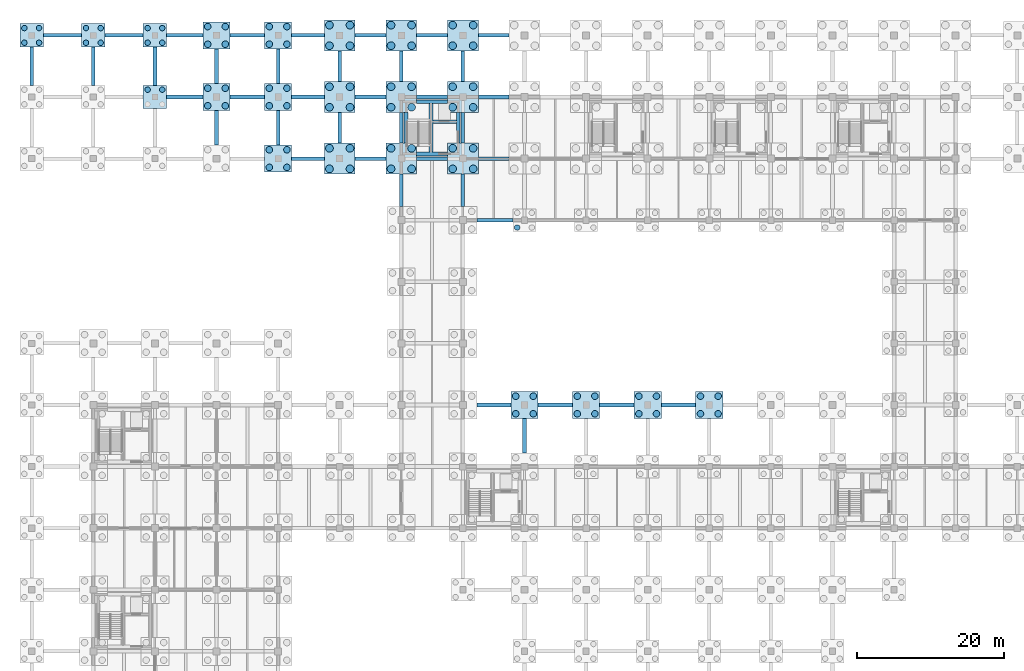
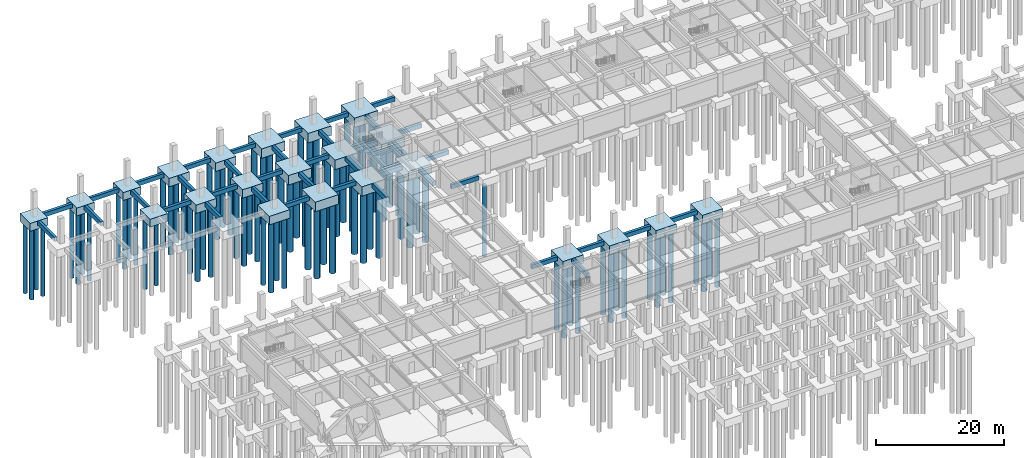
# One storey, part 6 of 29: 87 piles, 67 footings.
"""IFC4 building model written with IfcOpenShell, lengths in metres."""

from ifc_helpers import new_model, si_unit, direction, frame, origin, origin_2d, place, context, subcontext, project, spatial, rectangle, circle, extrude, material, material_profile, profile_set, type_object, element, save


model = new_model("IFC4")

# Units and contexts
model_context = context("Model", 3, precision=1e-05, world=origin(), true_north=direction((0.0, 1.0)))
body_context = subcontext(model_context, "Body", "Model", "MODEL_VIEW")
ifc_project = project(units=[si_unit("LENGTHUNIT", "METRE"), si_unit("AREAUNIT", "SQUARE_METRE"), si_unit("VOLUMEUNIT", "CUBIC_METRE"), si_unit("PLANEANGLEUNIT", "RADIAN"), si_unit("MASSUNIT", "GRAM", prefix="KILO")], contexts=[model_context])

# Site, building, storey
site_placement = place(None, origin())
site = spatial("IfcSite", under=ifc_project, at=site_placement, CompositionType="ELEMENT")
building_placement = place(site_placement, origin())
building = spatial("IfcBuilding", under=site, at=building_placement, Name="Porcellanite Civic Hall", CompositionType="ELEMENT")
storey_placement = place(building_placement, frame((0.0, 0.0, -4.5)))
storey = spatial("IfcBuildingStorey", under=building, at=storey_placement, Name="B1", CompositionType="ELEMENT", Elevation=-4.5)

# Footings
ifc_material_1 = material(Name="Concrete N40 (40 MPa)", Category="concrete")
ifc_material_profile_1 = material_profile(ifc_material_1, rectangle(XDim=0.5, YDim=0.800048828125, at=origin_2d()), Name="RC-500x800")
ifc_profile_set_1 = profile_set([ifc_material_profile_1], Name="Concrete N40 (40 MPa)")
footing_type_1 = type_object("IfcFootingType", Name="GB-01", PredefinedType="FOOTING_BEAM", material=ifc_profile_set_1)
for number, where, z_axis, x_axis, name in (
    (1, (0.0, 110.800048828125, -0.75), (0.0, 1.0, 0.0), (-1.0, 0.0, 0.0), "Ground tie beam B1 0-13 Y"),
    (2, (1.60009765625, 117.60009765625, -0.75), (1.0, 0.0, 0.0), (0.0, 1.0, 0.0), "Ground tie beam B1 0-14 X"),
    (3, (8.39990234375, 110.800048828125, -0.75), (0.0, 1.0, 0.0), (-1.0, 0.0, 0.0), "Ground tie beam B1 1-13 Y"),
    (4, (10.0, 117.60009765625, -0.75), (1.0, 0.0, 0.0), (0.0, 1.0, 0.0), "Ground tie beam B1 1-14 X"),
):
    element("IfcFooting", number, at=place(storey_placement, frame(where, z_axis=z_axis, x_axis=x_axis)), inside=storey, type_object=footing_type_1, Name=name, PredefinedType="FOOTING_BEAM", context=body_context, shape_type="SweptSolid", body=[
        extrude(rectangle(XDim=0.5, YDim=0.800048828125, at=origin_2d()), origin(), (0.0, 0.0, 1.0), 5.199951171875),
    ])
footing_1_placement = place(storey_placement, frame((18.39990234375, 109.199951171875, -0.75), z_axis=(1.0, 0.0, 0.0), x_axis=(0.0, 1.0, 0.0)))
element("IfcFooting", 5, at=footing_1_placement, inside=storey, type_object=footing_type_1, Name="Ground tie beam B1 2-13 X", PredefinedType="FOOTING_BEAM", context=body_context, shape_type="SweptSolid", body=[
    extrude(rectangle(XDim=0.5, YDim=0.800048828125, at=origin_2d()), origin(), (0.0, 0.0, 1.0), 4.9501953125),
])
footing_2_placement = place(storey_placement, frame((16.800048828125, 110.800048828125, -0.75), z_axis=(0.0, 1.0, 0.0), x_axis=(-1.0, 0.0, 0.0)))
element("IfcFooting", 6, at=footing_2_placement, inside=storey, type_object=footing_type_1, Name="Ground tie beam B1 2-13 Y", PredefinedType="FOOTING_BEAM", context=body_context, shape_type="SweptSolid", body=[
    extrude(rectangle(XDim=0.5, YDim=0.800048828125, at=origin_2d()), origin(), (0.0, 0.0, 1.0), 5.199951171875),
])
footing_3_placement = place(storey_placement, frame((18.39990234375, 117.60009765625, -0.75), z_axis=(1.0, 0.0, 0.0), x_axis=(0.0, 1.0, 0.0)))
element("IfcFooting", 7, at=footing_3_placement, inside=storey, type_object=footing_type_1, Name="Ground tie beam B1 2-14 X", PredefinedType="FOOTING_BEAM", context=body_context, shape_type="SweptSolid", body=[
    extrude(rectangle(XDim=0.5, YDim=0.800048828125, at=origin_2d()), origin(), (0.0, 0.0, 1.0), 4.9501953125),
])
footing_4_placement = place(storey_placement, frame((25.199951171875, 102.64990234375, -0.75), z_axis=(0.0, 1.0, 0.0), x_axis=(-1.0, 0.0, 0.0)))
element("IfcFooting", 8, at=footing_4_placement, inside=storey, type_object=footing_type_1, Name="Ground tie beam B1 3-12 Y", PredefinedType="FOOTING_BEAM", context=body_context, shape_type="SweptSolid", body=[
    extrude(rectangle(XDim=0.5, YDim=0.800048828125, at=origin_2d()), origin(), (0.0, 0.0, 1.0), 4.7001953125),
])
for number, where, z_axis, x_axis, name in (
    (9, (27.050048828125, 109.199951171875, -0.75), (1.0, 0.0, 0.0), (0.0, 1.0, 0.0), "Ground tie beam B1 3-13 X"),
    (10, (25.199951171875, 111.050048828125, -0.75), (0.0, 1.0, 0.0), (-1.0, 0.0, 0.0), "Ground tie beam B1 3-13 Y"),
    (11, (27.050048828125, 117.60009765625, -0.75), (1.0, 0.0, 0.0), (0.0, 1.0, 0.0), "Ground tie beam B1 3-14 X"),
):
    element("IfcFooting", number, at=place(storey_placement, frame(where, z_axis=z_axis, x_axis=x_axis)), inside=storey, type_object=footing_type_1, Name=name, PredefinedType="FOOTING_BEAM", context=body_context, shape_type="SweptSolid", body=[
        extrude(rectangle(XDim=0.5, YDim=0.800048828125, at=origin_2d()), origin(), (0.0, 0.0, 1.0), 4.699951171875),
    ])
footing_5_placement = place(storey_placement, frame((35.449951171875, 100.800048828125, -0.75), z_axis=(1.0, 0.0, 0.0), x_axis=(0.0, 1.0, 0.0)))
element("IfcFooting", 12, at=footing_5_placement, inside=storey, type_object=footing_type_1, Name="Ground tie beam B1 4-12 X", PredefinedType="FOOTING_BEAM", context=body_context, shape_type="SweptSolid", body=[
    extrude(rectangle(XDim=0.5, YDim=0.800048828125, at=origin_2d()), origin(), (0.0, 0.0, 1.0), 4.449951171875),
])
footing_6_placement = place(storey_placement, frame((33.60009765625, 102.64990234375, -0.75), z_axis=(0.0, 1.0, 0.0), x_axis=(-1.0, 0.0, 0.0)))
element("IfcFooting", 13, at=footing_6_placement, inside=storey, type_object=footing_type_1, Name="Ground tie beam B1 4-12 Y", PredefinedType="FOOTING_BEAM", context=body_context, shape_type="SweptSolid", body=[
    extrude(rectangle(XDim=0.5, YDim=0.800048828125, at=origin_2d()), origin(), (0.0, 0.0, 1.0), 4.7001953125),
])
footing_7_placement = place(storey_placement, frame((35.449951171875, 109.199951171875, -0.75), z_axis=(1.0, 0.0, 0.0), x_axis=(0.0, 1.0, 0.0)))
element("IfcFooting", 14, at=footing_7_placement, inside=storey, type_object=footing_type_1, Name="Ground tie beam B1 4-13 X", PredefinedType="FOOTING_BEAM", context=body_context, shape_type="SweptSolid", body=[
    extrude(rectangle(XDim=0.5, YDim=0.800048828125, at=origin_2d()), origin(), (0.0, 0.0, 1.0), 4.449951171875),
])
footing_8_placement = place(storey_placement, frame((33.60009765625, 111.050048828125, -0.75), z_axis=(0.0, 1.0, 0.0), x_axis=(-1.0, 0.0, 0.0)))
element("IfcFooting", 15, at=footing_8_placement, inside=storey, type_object=footing_type_1, Name="Ground tie beam B1 4-13 Y", PredefinedType="FOOTING_BEAM", context=body_context, shape_type="SweptSolid", body=[
    extrude(rectangle(XDim=0.5, YDim=0.800048828125, at=origin_2d()), origin(), (0.0, 0.0, 1.0), 4.699951171875),
])
footing_9_placement = place(storey_placement, frame((35.449951171875, 117.60009765625, -0.75), z_axis=(1.0, 0.0, 0.0), x_axis=(0.0, 1.0, 0.0)))
element("IfcFooting", 16, at=footing_9_placement, inside=storey, type_object=footing_type_1, Name="Ground tie beam B1 4-14 X", PredefinedType="FOOTING_BEAM", context=body_context, shape_type="SweptSolid", body=[
    extrude(rectangle(XDim=0.5, YDim=0.800048828125, at=origin_2d()), origin(), (0.0, 0.0, 1.0), 4.449951171875),
])
footing_10_placement = place(storey_placement, frame((44.10009765625, 100.800048828125, -0.75), z_axis=(1.0, 0.0, 0.0), x_axis=(0.0, 1.0, 0.0)))
element("IfcFooting", 17, at=footing_10_placement, inside=storey, type_object=footing_type_1, Name="Ground tie beam B1 5-12 X", PredefinedType="FOOTING_BEAM", context=body_context, shape_type="SweptSolid", body=[
    extrude(rectangle(XDim=0.5, YDim=0.800048828125, at=origin_2d()), origin(), (0.0, 0.0, 1.0), 4.199951171875),
])
footing_11_placement = place(storey_placement, frame((42.0, 102.89990234375, -0.75), z_axis=(0.0, 1.0, 0.0), x_axis=(-1.0, 0.0, 0.0)))
element("IfcFooting", 18, at=footing_11_placement, inside=storey, type_object=footing_type_1, Name="Ground tie beam B1 5-12 Y", PredefinedType="FOOTING_BEAM", context=body_context, shape_type="SweptSolid", body=[
    extrude(rectangle(XDim=0.5, YDim=0.800048828125, at=origin_2d()), origin(), (0.0, 0.0, 1.0), 4.2001953125),
])
for number, where, z_axis, x_axis, name in (
    (19, (44.10009765625, 109.199951171875, -0.75), (1.0, 0.0, 0.0), (0.0, 1.0, 0.0), "Ground tie beam B1 5-13 X"),
    (20, (42.0, 111.300048828125, -0.75), (0.0, 1.0, 0.0), (-1.0, 0.0, 0.0), "Ground tie beam B1 5-13 Y"),
    (21, (44.10009765625, 117.60009765625, -0.75), (1.0, 0.0, 0.0), (0.0, 1.0, 0.0), "Ground tie beam B1 5-14 X"),
):
    element("IfcFooting", number, at=place(storey_placement, frame(where, z_axis=z_axis, x_axis=x_axis)), inside=storey, type_object=footing_type_1, Name=name, PredefinedType="FOOTING_BEAM", context=body_context, shape_type="SweptSolid", body=[
        extrude(rectangle(XDim=0.5, YDim=0.800048828125, at=origin_2d()), origin(), (0.0, 0.0, 1.0), 4.199951171875),
    ])
footing_12_placement = place(storey_placement, frame((50.39990234375, 94.300048828125, -0.75), z_axis=(0.0, 1.0, 0.0), x_axis=(-1.0, 0.0, 0.0)))
element("IfcFooting", 22, at=footing_12_placement, inside=storey, type_object=footing_type_1, Name="Ground tie beam B1 6-11 Y", PredefinedType="FOOTING_BEAM", context=body_context, shape_type="SweptSolid", body=[
    extrude(rectangle(XDim=0.5, YDim=0.800048828125, at=origin_2d()), origin(), (0.0, 0.0, 1.0), 4.39990234375),
])
footing_13_placement = place(storey_placement, frame((52.5, 100.800048828125, -0.75), z_axis=(1.0, 0.0, 0.0), x_axis=(0.0, 1.0, 0.0)))
element("IfcFooting", 23, at=footing_13_placement, inside=storey, type_object=footing_type_1, Name="Ground tie beam B1 6-12 X", PredefinedType="FOOTING_BEAM", context=body_context, shape_type="SweptSolid", body=[
    extrude(rectangle(XDim=0.5, YDim=0.800048828125, at=origin_2d()), origin(), (0.0, 0.0, 1.0), 4.199951171875),
])
footing_14_placement = place(storey_placement, frame((50.39990234375, 102.89990234375, -0.75), z_axis=(0.0, 1.0, 0.0), x_axis=(-1.0, 0.0, 0.0)))
element("IfcFooting", 24, at=footing_14_placement, inside=storey, type_object=footing_type_1, Name="Ground tie beam B1 6-12 Y", PredefinedType="FOOTING_BEAM", context=body_context, shape_type="SweptSolid", body=[
    extrude(rectangle(XDim=0.5, YDim=0.800048828125, at=origin_2d()), origin(), (0.0, 0.0, 1.0), 4.2001953125),
])
for number, where, z_axis, x_axis, name in (
    (25, (52.5, 109.199951171875, -0.75), (1.0, 0.0, 0.0), (0.0, 1.0, 0.0), "Ground tie beam B1 6-13 X"),
    (26, (50.39990234375, 111.300048828125, -0.75), (0.0, 1.0, 0.0), (-1.0, 0.0, 0.0), "Ground tie beam B1 6-13 Y"),
    (27, (52.5, 117.60009765625, -0.75), (1.0, 0.0, 0.0), (0.0, 1.0, 0.0), "Ground tie beam B1 6-14 X"),
):
    element("IfcFooting", number, at=place(storey_placement, frame(where, z_axis=z_axis, x_axis=x_axis)), inside=storey, type_object=footing_type_1, Name=name, PredefinedType="FOOTING_BEAM", context=body_context, shape_type="SweptSolid", body=[
        extrude(rectangle(XDim=0.5, YDim=0.800048828125, at=origin_2d()), origin(), (0.0, 0.0, 1.0), 4.199951171875),
    ])
footing_15_placement = place(storey_placement, frame((60.699951171875, 67.199951171875, -0.75), z_axis=(1.0, 0.0, 0.0), x_axis=(0.0, 1.0, 0.0)))
element("IfcFooting", 28, at=footing_15_placement, inside=storey, type_object=footing_type_1, Name="Ground tie beam B1 7-8 X", PredefinedType="FOOTING_BEAM", context=body_context, shape_type="SweptSolid", body=[
    extrude(rectangle(XDim=0.5, YDim=0.800048828125, at=origin_2d()), origin(), (0.0, 0.0, 1.0), 4.650146484375),
])
footing_16_placement = place(storey_placement, frame((60.699951171875, 92.39990234375, -0.75), z_axis=(1.0, 0.0, 0.0), x_axis=(0.0, 1.0, 0.0)))
element("IfcFooting", 29, at=footing_16_placement, inside=storey, type_object=footing_type_1, Name="Ground tie beam B1 7-11 X", PredefinedType="FOOTING_BEAM", context=body_context, shape_type="SweptSolid", body=[
    extrude(rectangle(XDim=0.5, YDim=0.800048828125, at=origin_2d()), origin(), (0.0, 0.0, 1.0), 4.949951171875),
])
footing_17_placement = place(storey_placement, frame((58.800048828125, 94.300048828125, -0.75), z_axis=(0.0, 1.0, 0.0), x_axis=(-1.0, 0.0, 0.0)))
element("IfcFooting", 30, at=footing_17_placement, inside=storey, type_object=footing_type_1, Name="Ground tie beam B1 7-11 Y", PredefinedType="FOOTING_BEAM", context=body_context, shape_type="SweptSolid", body=[
    extrude(rectangle(XDim=0.5, YDim=0.800048828125, at=origin_2d()), origin(), (0.0, 0.0, 1.0), 4.39990234375),
])
for number, where, z_axis, x_axis, name in (
    (31, (60.89990234375, 100.800048828125, -0.75), (1.0, 0.0, 0.0), (0.0, 1.0, 0.0), "Ground tie beam B1 7-12 X"),
    (32, (58.800048828125, 102.89990234375, -0.75), (0.0, 1.0, 0.0), (-1.0, 0.0, 0.0), "Ground tie beam B1 7-12 Y"),
    (33, (60.89990234375, 109.199951171875, -0.75), (1.0, 0.0, 0.0), (0.0, 1.0, 0.0), "Ground tie beam B1 7-13 X"),
):
    element("IfcFooting", number, at=place(storey_placement, frame(where, z_axis=z_axis, x_axis=x_axis)), inside=storey, type_object=footing_type_1, Name=name, PredefinedType="FOOTING_BEAM", context=body_context, shape_type="SweptSolid", body=[
        extrude(rectangle(XDim=0.5, YDim=0.800048828125, at=origin_2d()), origin(), (0.0, 0.0, 1.0), 4.2001953125),
    ])
footing_18_placement = place(storey_placement, frame((58.800048828125, 111.300048828125, -0.75), z_axis=(0.0, 1.0, 0.0), x_axis=(-1.0, 0.0, 0.0)))
element("IfcFooting", 34, at=footing_18_placement, inside=storey, type_object=footing_type_1, Name="Ground tie beam B1 7-13 Y", PredefinedType="FOOTING_BEAM", context=body_context, shape_type="SweptSolid", body=[
    extrude(rectangle(XDim=0.5, YDim=0.800048828125, at=origin_2d()), origin(), (0.0, 0.0, 1.0), 4.199951171875),
])
footing_19_placement = place(storey_placement, frame((60.89990234375, 117.60009765625, -0.75), z_axis=(1.0, 0.0, 0.0), x_axis=(0.0, 1.0, 0.0)))
element("IfcFooting", 35, at=footing_19_placement, inside=storey, type_object=footing_type_1, Name="Ground tie beam B1 7-14 X", PredefinedType="FOOTING_BEAM", context=body_context, shape_type="SweptSolid", body=[
    extrude(rectangle(XDim=0.5, YDim=0.800048828125, at=origin_2d()), origin(), (0.0, 0.0, 1.0), 4.2001953125),
])
footing_20_placement = place(storey_placement, frame((67.199951171875, 60.64990234375, -0.75), z_axis=(0.0, 1.0, 0.0), x_axis=(-1.0, 0.0, 0.0)))
element("IfcFooting", 36, at=footing_20_placement, inside=storey, type_object=footing_type_1, Name="Ground tie beam B1 8-7 Y", PredefinedType="FOOTING_BEAM", context=body_context, shape_type="SweptSolid", body=[
    extrude(rectangle(XDim=0.5, YDim=0.800048828125, at=origin_2d()), origin(), (0.0, 0.0, 1.0), 4.7001953125),
])
for number, where, z_axis, x_axis, name in (
    (37, (69.050048828125, 67.199951171875, -0.75), (1.0, 0.0, 0.0), (0.0, 1.0, 0.0), "Ground tie beam B1 8-8 X"),
    (38, (77.449951171875, 67.199951171875, -0.75), (1.0, 0.0, 0.0), (0.0, 1.0, 0.0), "Ground tie beam B1 9-8 X"),
    (39, (85.85009765625, 67.199951171875, -0.75), (1.0, 0.0, 0.0), (0.0, 1.0, 0.0), "Ground tie beam B1 10-8 X"),
):
    element("IfcFooting", number, at=place(storey_placement, frame(where, z_axis=z_axis, x_axis=x_axis)), inside=storey, type_object=footing_type_1, Name=name, PredefinedType="FOOTING_BEAM", context=body_context, shape_type="SweptSolid", body=[
        extrude(rectangle(XDim=0.5, YDim=0.800048828125, at=origin_2d()), origin(), (0.0, 0.0, 1.0), 4.699951171875),
    ])
for number, where, z_axis, x_axis, name in (
    (40, (52.5, 101.429931640625, -0.75), (1.0, 0.0, 0.0), (0.0, 1.0, 0.0), "Core strip footing C3 S"),
    (41, (52.5, 108.570068359375, -0.75), (1.0, 0.0, 0.0), (0.0, 1.0, 0.0), "Core strip footing C3 N"),
):
    element("IfcFooting", number, at=place(storey_placement, frame(where, z_axis=z_axis, x_axis=x_axis)), inside=storey, type_object=footing_type_1, Name=name, PredefinedType="FOOTING_BEAM", context=body_context, shape_type="SweptSolid", body=[
        extrude(rectangle(XDim=0.5, YDim=0.800048828125, at=origin_2d()), origin(), (0.0, 0.0, 1.0), 4.199951171875),
    ])
for number, where, z_axis, x_axis, name in (
    (42, (51.030029296875, 102.89990234375, -0.75), (0.0, 1.0, 0.0), (-1.0, 0.0, 0.0), "Core strip footing C3 W"),
    (43, (58.169921875, 102.89990234375, -0.75), (0.0, 1.0, 0.0), (-1.0, 0.0, 0.0), "Core strip footing C3 E"),
):
    element("IfcFooting", number, at=place(storey_placement, frame(where, z_axis=z_axis, x_axis=x_axis)), inside=storey, type_object=footing_type_1, Name=name, PredefinedType="FOOTING_BEAM", context=body_context, shape_type="SweptSolid", body=[
        extrude(rectangle(XDim=0.5, YDim=0.800048828125, at=origin_2d()), origin(), (0.0, 0.0, 1.0), 4.2001953125),
    ])
footing_21_placement = place(storey_placement, frame((54.43994140625, 101.679931640625, -0.75), z_axis=(0.0, 1.0, 0.0), x_axis=(-1.0, 0.0, 0.0)))
element("IfcFooting", 44, at=footing_21_placement, inside=storey, type_object=footing_type_1, Name="Core strip footing C3 DIV", PredefinedType="FOOTING_BEAM", context=body_context, shape_type="SweptSolid", body=[
    extrude(rectangle(XDim=0.5, YDim=0.800048828125, at=origin_2d()), origin(), (0.0, 0.0, 1.0), 6.64013671875),
])
ifc_material_2 = material(Name="Concrete N40 (40 MPa)", Category="concrete")
ifc_material_profile_2 = material_profile(ifc_material_2, rectangle(XDim=0.449951171875, YDim=0.699951171875, at=origin_2d()), Name="RC-450x700")
ifc_profile_set_2 = profile_set([ifc_material_profile_2], Name="Concrete N40 (40 MPa)")
footing_type_2 = type_object("IfcFootingType", Name="GB-03", PredefinedType="FOOTING_BEAM", material=ifc_profile_set_2)
footing_22_placement = place(storey_placement, frame((54.68994140625, 105.820068359375, -0.699951171875), z_axis=(1.0, 0.0, 0.0), x_axis=(0.0, 1.0, 0.0)))
element("IfcFooting", 45, at=footing_22_placement, inside=storey, type_object=footing_type_2, Name="Core lift wall footing C3", PredefinedType="FOOTING_BEAM", context=body_context, shape_type="SweptSolid", body=[
    extrude(rectangle(XDim=0.449951171875, YDim=0.699951171875, at=origin_2d()), origin(), (0.0, 0.0, 1.0), 3.22998046875),
])
ifc_material_3 = material(Name="Concrete N40 (40 MPa)", Category="concrete")
footing_type_3 = type_object("IfcFootingType", Name="PC-02", PredefinedType="PILE_CAP", material=ifc_material_3)
for number, where, z_axis, x_axis, name in (
    (46, (0.0, 117.60009765625, -1.85009765625), (0.0, 0.0, 1.0), (1.0, 0.0, 0.0), "Pile cap 0-14"),
    (47, (8.39990234375, 117.60009765625, -1.85009765625), (0.0, 0.0, 1.0), (1.0, 0.0, 0.0), "Pile cap 1-14"),
    (48, (16.800048828125, 109.199951171875, -1.85009765625), (0.0, 0.0, 1.0), (1.0, 0.0, 0.0), "Pile cap 2-13"),
    (49, (16.800048828125, 117.60009765625, -1.85009765625), (0.0, 0.0, 1.0), (1.0, 0.0, 0.0), "Pile cap 2-14"),
):
    element("IfcFooting", number, at=place(storey_placement, frame(where, z_axis=z_axis, x_axis=x_axis)), inside=storey, type_object=footing_type_3, Name=name, PredefinedType="PILE_CAP", context=body_context, shape_type="SweptSolid", body=[
        extrude(rectangle(XDim=3.199951171875, YDim=3.199951171875, at=origin_2d()), origin(), (0.0, 0.0, 1.0), 1.5),
    ])
ifc_material_4 = material(Name="Concrete N40 (40 MPa)", Category="concrete")
footing_type_4 = type_object("IfcFootingType", Name="PC-03", PredefinedType="PILE_CAP", material=ifc_material_4)
for number, where, z_axis, x_axis, name in (
    (50, (25.199951171875, 109.199951171875, -1.949951171875), (0.0, 0.0, 1.0), (1.0, 0.0, 0.0), "Pile cap 3-13"),
    (51, (25.199951171875, 117.60009765625, -1.949951171875), (0.0, 0.0, 1.0), (1.0, 0.0, 0.0), "Pile cap 3-14"),
    (52, (33.60009765625, 100.800048828125, -1.949951171875), (0.0, 0.0, 1.0), (1.0, 0.0, 0.0), "Pile cap 4-12"),
    (53, (33.60009765625, 109.199951171875, -1.949951171875), (0.0, 0.0, 1.0), (1.0, 0.0, 0.0), "Pile cap 4-13"),
    (54, (33.60009765625, 117.60009765625, -1.949951171875), (0.0, 0.0, 1.0), (1.0, 0.0, 0.0), "Pile cap 4-14"),
    (55, (67.199951171875, 67.199951171875, -1.949951171875), (0.0, 0.0, 1.0), (1.0, 0.0, 0.0), "Pile cap 8-8"),
    (56, (75.60009765625, 67.199951171875, -1.949951171875), (0.0, 0.0, 1.0), (1.0, 0.0, 0.0), "Pile cap 9-8"),
    (57, (84.0, 67.199951171875, -1.949951171875), (0.0, 0.0, 1.0), (1.0, 0.0, 0.0), "Pile cap 10-8"),
    (58, (92.39990234375, 67.199951171875, -1.949951171875), (0.0, 0.0, 1.0), (1.0, 0.0, 0.0), "Pile cap 11-8"),
):
    element("IfcFooting", number, at=place(storey_placement, frame(where, z_axis=z_axis, x_axis=x_axis)), inside=storey, type_object=footing_type_4, Name=name, PredefinedType="PILE_CAP", context=body_context, shape_type="SweptSolid", body=[
        extrude(rectangle(XDim=3.699951171875, YDim=3.699951171875, at=origin_2d()), origin(), (0.0, 0.0, 1.0), 1.60009765625),
    ])
ifc_material_5 = material(Name="Concrete N40 (40 MPa)", Category="concrete")
footing_type_5 = type_object("IfcFootingType", Name="PC-05", PredefinedType="PILE_CAP", material=ifc_material_5)
for number, where, z_axis, x_axis, name in (
    (59, (42.0, 100.800048828125, -2.14990234375), (0.0, 0.0, 1.0), (1.0, 0.0, 0.0), "Pile cap 5-12"),
    (60, (42.0, 109.199951171875, -2.14990234375), (0.0, 0.0, 1.0), (1.0, 0.0, 0.0), "Pile cap 5-13"),
    (61, (42.0, 117.60009765625, -2.14990234375), (0.0, 0.0, 1.0), (1.0, 0.0, 0.0), "Pile cap 5-14"),
    (62, (50.39990234375, 100.800048828125, -2.14990234375), (0.0, 0.0, 1.0), (1.0, 0.0, 0.0), "Pile cap 6-12"),
    (63, (50.39990234375, 109.199951171875, -2.14990234375), (0.0, 0.0, 1.0), (1.0, 0.0, 0.0), "Pile cap 6-13"),
    (64, (50.39990234375, 117.60009765625, -2.14990234375), (0.0, 0.0, 1.0), (1.0, 0.0, 0.0), "Pile cap 6-14"),
    (65, (58.800048828125, 100.800048828125, -2.14990234375), (0.0, 0.0, 1.0), (1.0, 0.0, 0.0), "Pile cap 7-12"),
    (66, (58.800048828125, 109.199951171875, -2.14990234375), (0.0, 0.0, 1.0), (1.0, 0.0, 0.0), "Pile cap 7-13"),
    (67, (58.800048828125, 117.60009765625, -2.14990234375), (0.0, 0.0, 1.0), (1.0, 0.0, 0.0), "Pile cap 7-14"),
):
    element("IfcFooting", number, at=place(storey_placement, frame(where, z_axis=z_axis, x_axis=x_axis)), inside=storey, type_object=footing_type_5, Name=name, PredefinedType="PILE_CAP", context=body_context, shape_type="SweptSolid", body=[
        extrude(rectangle(XDim=4.199951171875, YDim=4.199951171875, at=origin_2d()), origin(), (0.0, 0.0, 1.0), 1.800048828125),
    ])

# Piles
ifc_material_6 = material(Name="Concrete N40 (40 MPa)", Category="concrete")
ifc_material_profile_3 = material_profile(ifc_material_6, circle(Radius=0.52490234375, at=origin_2d()), Name="PILE-D1050")
ifc_profile_set_3 = profile_set([ifc_material_profile_3], Name="Concrete N40 (40 MPa)")
pile_type_1 = type_object("IfcPileType", Name="PL-1050", PredefinedType="BORED", material=ifc_profile_set_3)
for number, where, z_axis, x_axis, name in (
    (68, (40.60009765625, 99.39990234375, -2.14990234375), (0.0, 0.0, -1.0), (1.0, 0.0, 0.0), "Bored pile 5-12-1"),
    (69, (40.60009765625, 102.199951171875, -2.14990234375), (0.0, 0.0, -1.0), (1.0, 0.0, 0.0), "Bored pile 5-12-2"),
    (70, (43.39990234375, 99.39990234375, -2.14990234375), (0.0, 0.0, -1.0), (1.0, 0.0, 0.0), "Bored pile 5-12-3"),
    (71, (43.39990234375, 102.199951171875, -2.14990234375), (0.0, 0.0, -1.0), (1.0, 0.0, 0.0), "Bored pile 5-12-4"),
    (72, (40.60009765625, 107.800048828125, -2.14990234375), (0.0, 0.0, -1.0), (1.0, 0.0, 0.0), "Bored pile 5-13-1"),
    (73, (40.60009765625, 110.60009765625, -2.14990234375), (0.0, 0.0, -1.0), (1.0, 0.0, 0.0), "Bored pile 5-13-2"),
    (74, (43.39990234375, 107.800048828125, -2.14990234375), (0.0, 0.0, -1.0), (1.0, 0.0, 0.0), "Bored pile 5-13-3"),
    (75, (43.39990234375, 110.60009765625, -2.14990234375), (0.0, 0.0, -1.0), (1.0, 0.0, 0.0), "Bored pile 5-13-4"),
    (76, (40.60009765625, 116.199951171875, -2.14990234375), (0.0, 0.0, -1.0), (1.0, 0.0, 0.0), "Bored pile 5-14-1"),
    (77, (40.60009765625, 119.0, -2.14990234375), (0.0, 0.0, -1.0), (1.0, 0.0, 0.0), "Bored pile 5-14-2"),
    (78, (43.39990234375, 116.199951171875, -2.14990234375), (0.0, 0.0, -1.0), (1.0, 0.0, 0.0), "Bored pile 5-14-3"),
    (79, (43.39990234375, 119.0, -2.14990234375), (0.0, 0.0, -1.0), (1.0, 0.0, 0.0), "Bored pile 5-14-4"),
    (80, (49.0, 99.39990234375, -2.14990234375), (0.0, 0.0, -1.0), (1.0, 0.0, 0.0), "Bored pile 6-12-1"),
    (81, (49.0, 102.199951171875, -2.14990234375), (0.0, 0.0, -1.0), (1.0, 0.0, 0.0), "Bored pile 6-12-2"),
    (82, (51.800048828125, 99.39990234375, -2.14990234375), (0.0, 0.0, -1.0), (1.0, 0.0, 0.0), "Bored pile 6-12-3"),
    (83, (51.800048828125, 102.199951171875, -2.14990234375), (0.0, 0.0, -1.0), (1.0, 0.0, 0.0), "Bored pile 6-12-4"),
    (84, (49.0, 107.800048828125, -2.14990234375), (0.0, 0.0, -1.0), (1.0, 0.0, 0.0), "Bored pile 6-13-1"),
    (85, (49.0, 110.60009765625, -2.14990234375), (0.0, 0.0, -1.0), (1.0, 0.0, 0.0), "Bored pile 6-13-2"),
    (86, (51.800048828125, 107.800048828125, -2.14990234375), (0.0, 0.0, -1.0), (1.0, 0.0, 0.0), "Bored pile 6-13-3"),
    (87, (51.800048828125, 110.60009765625, -2.14990234375), (0.0, 0.0, -1.0), (1.0, 0.0, 0.0), "Bored pile 6-13-4"),
    (88, (49.0, 116.199951171875, -2.14990234375), (0.0, 0.0, -1.0), (1.0, 0.0, 0.0), "Bored pile 6-14-1"),
    (89, (49.0, 119.0, -2.14990234375), (0.0, 0.0, -1.0), (1.0, 0.0, 0.0), "Bored pile 6-14-2"),
    (90, (51.800048828125, 116.199951171875, -2.14990234375), (0.0, 0.0, -1.0), (1.0, 0.0, 0.0), "Bored pile 6-14-3"),
    (91, (51.800048828125, 119.0, -2.14990234375), (0.0, 0.0, -1.0), (1.0, 0.0, 0.0), "Bored pile 6-14-4"),
    (92, (57.39990234375, 99.39990234375, -2.14990234375), (0.0, 0.0, -1.0), (1.0, 0.0, 0.0), "Bored pile 7-12-1"),
    (93, (57.39990234375, 102.199951171875, -2.14990234375), (0.0, 0.0, -1.0), (1.0, 0.0, 0.0), "Bored pile 7-12-2"),
    (94, (60.199951171875, 99.39990234375, -2.14990234375), (0.0, 0.0, -1.0), (1.0, 0.0, 0.0), "Bored pile 7-12-3"),
    (95, (60.199951171875, 102.199951171875, -2.14990234375), (0.0, 0.0, -1.0), (1.0, 0.0, 0.0), "Bored pile 7-12-4"),
    (96, (57.39990234375, 107.800048828125, -2.14990234375), (0.0, 0.0, -1.0), (1.0, 0.0, 0.0), "Bored pile 7-13-1"),
    (97, (57.39990234375, 110.60009765625, -2.14990234375), (0.0, 0.0, -1.0), (1.0, 0.0, 0.0), "Bored pile 7-13-2"),
    (98, (60.199951171875, 107.800048828125, -2.14990234375), (0.0, 0.0, -1.0), (1.0, 0.0, 0.0), "Bored pile 7-13-3"),
    (99, (60.199951171875, 110.60009765625, -2.14990234375), (0.0, 0.0, -1.0), (1.0, 0.0, 0.0), "Bored pile 7-13-4"),
    (100, (57.39990234375, 116.199951171875, -2.14990234375), (0.0, 0.0, -1.0), (1.0, 0.0, 0.0), "Bored pile 7-14-1"),
    (101, (57.39990234375, 119.0, -2.14990234375), (0.0, 0.0, -1.0), (1.0, 0.0, 0.0), "Bored pile 7-14-2"),
    (102, (60.199951171875, 116.199951171875, -2.14990234375), (0.0, 0.0, -1.0), (1.0, 0.0, 0.0), "Bored pile 7-14-3"),
    (103, (60.199951171875, 119.0, -2.14990234375), (0.0, 0.0, -1.0), (1.0, 0.0, 0.0), "Bored pile 7-14-4"),
):
    element("IfcPile", number, at=place(storey_placement, frame(where, z_axis=z_axis, x_axis=x_axis)), inside=storey, type_object=pile_type_1, Name=name, PredefinedType="BORED", context=body_context, shape_type="SweptSolid", body=[
        extrude(circle(Radius=0.52490234375, at=origin_2d()), origin(), (0.0, 0.0, 1.0), 13.14990234375),
    ])
ifc_material_7 = material(Name="Concrete N40 (40 MPa)", Category="concrete")
ifc_material_profile_4 = material_profile(ifc_material_7, circle(Radius=0.375, at=origin_2d()), Name="PILE-D750")
ifc_profile_set_4 = profile_set([ifc_material_profile_4], Name="Concrete N40 (40 MPa)")
pile_type_2 = type_object("IfcPileType", Name="PL-750", PredefinedType="BORED", material=ifc_profile_set_4)
for number, where, z_axis, x_axis, name in (
    (104, (-1.0, 116.60009765625, -1.85009765625), (0.0, 0.0, -1.0), (1.0, 0.0, 0.0), "Bored pile 0-14-1"),
    (105, (-1.0, 118.60009765625, -1.85009765625), (0.0, 0.0, -1.0), (1.0, 0.0, 0.0), "Bored pile 0-14-2"),
    (106, (1.0, 116.60009765625, -1.85009765625), (0.0, 0.0, -1.0), (1.0, 0.0, 0.0), "Bored pile 0-14-3"),
    (107, (1.0, 118.60009765625, -1.85009765625), (0.0, 0.0, -1.0), (1.0, 0.0, 0.0), "Bored pile 0-14-4"),
    (108, (7.39990234375, 116.60009765625, -1.85009765625), (0.0, 0.0, -1.0), (1.0, 0.0, 0.0), "Bored pile 1-14-1"),
    (109, (7.39990234375, 118.60009765625, -1.85009765625), (0.0, 0.0, -1.0), (1.0, 0.0, 0.0), "Bored pile 1-14-2"),
    (110, (9.39990234375, 116.60009765625, -1.85009765625), (0.0, 0.0, -1.0), (1.0, 0.0, 0.0), "Bored pile 1-14-3"),
    (111, (9.39990234375, 118.60009765625, -1.85009765625), (0.0, 0.0, -1.0), (1.0, 0.0, 0.0), "Bored pile 1-14-4"),
    (112, (15.800048828125, 110.199951171875, -1.85009765625), (0.0, 0.0, -1.0), (1.0, 0.0, 0.0), "Bored pile 2-13-2"),
    (113, (17.800048828125, 110.199951171875, -1.85009765625), (0.0, 0.0, -1.0), (1.0, 0.0, 0.0), "Bored pile 2-13-4"),
    (114, (15.800048828125, 116.60009765625, -1.85009765625), (0.0, 0.0, -1.0), (1.0, 0.0, 0.0), "Bored pile 2-14-1"),
    (115, (15.800048828125, 118.60009765625, -1.85009765625), (0.0, 0.0, -1.0), (1.0, 0.0, 0.0), "Bored pile 2-14-2"),
    (116, (17.800048828125, 116.60009765625, -1.85009765625), (0.0, 0.0, -1.0), (1.0, 0.0, 0.0), "Bored pile 2-14-3"),
    (117, (17.800048828125, 118.60009765625, -1.85009765625), (0.0, 0.0, -1.0), (1.0, 0.0, 0.0), "Bored pile 2-14-4"),
):
    element("IfcPile", number, at=place(storey_placement, frame(where, z_axis=z_axis, x_axis=x_axis)), inside=storey, type_object=pile_type_2, Name=name, PredefinedType="BORED", context=body_context, shape_type="SweptSolid", body=[
        extrude(circle(Radius=0.375, at=origin_2d()), origin(), (0.0, 0.0, 1.0), 13.449951171875),
    ])
pile_placement = place(storey_placement, frame((66.199951171875, 91.39990234375, -1.75), z_axis=(0.0, 0.0, -1.0), x_axis=(1.0, 0.0, 0.0)))
element("IfcPile", 118, at=pile_placement, inside=storey, type_object=pile_type_2, Name="Bored pile 8-11-1", PredefinedType="BORED", context=body_context, shape_type="SweptSolid", body=[
    extrude(circle(Radius=0.375, at=origin_2d()), origin(), (0.0, 0.0, 1.0), 13.550048828125),
])
ifc_material_8 = material(Name="Concrete N40 (40 MPa)", Category="concrete")
ifc_material_profile_5 = material_profile(ifc_material_8, circle(Radius=0.449951171875, at=origin_2d()), Name="PILE-D900")
ifc_profile_set_5 = profile_set([ifc_material_profile_5], Name="Concrete N40 (40 MPa)")
pile_type_3 = type_object("IfcPileType", Name="PL-900", PredefinedType="BORED", material=ifc_profile_set_5)
for number, where, z_axis, x_axis, name in (
    (119, (24.0, 108.0, -1.949951171875), (0.0, 0.0, -1.0), (1.0, 0.0, 0.0), "Bored pile 3-13-1"),
    (120, (24.0, 110.39990234375, -1.949951171875), (0.0, 0.0, -1.0), (1.0, 0.0, 0.0), "Bored pile 3-13-2"),
    (121, (26.39990234375, 108.0, -1.949951171875), (0.0, 0.0, -1.0), (1.0, 0.0, 0.0), "Bored pile 3-13-3"),
    (122, (26.39990234375, 110.39990234375, -1.949951171875), (0.0, 0.0, -1.0), (1.0, 0.0, 0.0), "Bored pile 3-13-4"),
    (123, (24.0, 116.39990234375, -1.949951171875), (0.0, 0.0, -1.0), (1.0, 0.0, 0.0), "Bored pile 3-14-1"),
    (124, (24.0, 118.800048828125, -1.949951171875), (0.0, 0.0, -1.0), (1.0, 0.0, 0.0), "Bored pile 3-14-2"),
    (125, (26.39990234375, 116.39990234375, -1.949951171875), (0.0, 0.0, -1.0), (1.0, 0.0, 0.0), "Bored pile 3-14-3"),
    (126, (26.39990234375, 118.800048828125, -1.949951171875), (0.0, 0.0, -1.0), (1.0, 0.0, 0.0), "Bored pile 3-14-4"),
    (127, (32.39990234375, 99.60009765625, -1.949951171875), (0.0, 0.0, -1.0), (1.0, 0.0, 0.0), "Bored pile 4-12-1"),
    (128, (32.39990234375, 102.0, -1.949951171875), (0.0, 0.0, -1.0), (1.0, 0.0, 0.0), "Bored pile 4-12-2"),
    (129, (34.800048828125, 99.60009765625, -1.949951171875), (0.0, 0.0, -1.0), (1.0, 0.0, 0.0), "Bored pile 4-12-3"),
    (130, (34.800048828125, 102.0, -1.949951171875), (0.0, 0.0, -1.0), (1.0, 0.0, 0.0), "Bored pile 4-12-4"),
    (131, (32.39990234375, 108.0, -1.949951171875), (0.0, 0.0, -1.0), (1.0, 0.0, 0.0), "Bored pile 4-13-1"),
    (132, (32.39990234375, 110.39990234375, -1.949951171875), (0.0, 0.0, -1.0), (1.0, 0.0, 0.0), "Bored pile 4-13-2"),
    (133, (34.800048828125, 108.0, -1.949951171875), (0.0, 0.0, -1.0), (1.0, 0.0, 0.0), "Bored pile 4-13-3"),
    (134, (34.800048828125, 110.39990234375, -1.949951171875), (0.0, 0.0, -1.0), (1.0, 0.0, 0.0), "Bored pile 4-13-4"),
    (135, (32.39990234375, 116.39990234375, -1.949951171875), (0.0, 0.0, -1.0), (1.0, 0.0, 0.0), "Bored pile 4-14-1"),
    (136, (32.39990234375, 118.800048828125, -1.949951171875), (0.0, 0.0, -1.0), (1.0, 0.0, 0.0), "Bored pile 4-14-2"),
    (137, (34.800048828125, 116.39990234375, -1.949951171875), (0.0, 0.0, -1.0), (1.0, 0.0, 0.0), "Bored pile 4-14-3"),
    (138, (34.800048828125, 118.800048828125, -1.949951171875), (0.0, 0.0, -1.0), (1.0, 0.0, 0.0), "Bored pile 4-14-4"),
    (139, (66.0, 66.0, -1.949951171875), (0.0, 0.0, -1.0), (1.0, 0.0, 0.0), "Bored pile 8-8-1"),
    (140, (66.0, 68.39990234375, -1.949951171875), (0.0, 0.0, -1.0), (1.0, 0.0, 0.0), "Bored pile 8-8-2"),
    (141, (68.39990234375, 66.0, -1.949951171875), (0.0, 0.0, -1.0), (1.0, 0.0, 0.0), "Bored pile 8-8-3"),
    (142, (68.39990234375, 68.39990234375, -1.949951171875), (0.0, 0.0, -1.0), (1.0, 0.0, 0.0), "Bored pile 8-8-4"),
    (143, (74.39990234375, 66.0, -1.949951171875), (0.0, 0.0, -1.0), (1.0, 0.0, 0.0), "Bored pile 9-8-1"),
    (144, (74.39990234375, 68.39990234375, -1.949951171875), (0.0, 0.0, -1.0), (1.0, 0.0, 0.0), "Bored pile 9-8-2"),
    (145, (76.800048828125, 66.0, -1.949951171875), (0.0, 0.0, -1.0), (1.0, 0.0, 0.0), "Bored pile 9-8-3"),
    (146, (76.800048828125, 68.39990234375, -1.949951171875), (0.0, 0.0, -1.0), (1.0, 0.0, 0.0), "Bored pile 9-8-4"),
    (147, (82.800048828125, 66.0, -1.949951171875), (0.0, 0.0, -1.0), (1.0, 0.0, 0.0), "Bored pile 10-8-1"),
    (148, (82.800048828125, 68.39990234375, -1.949951171875), (0.0, 0.0, -1.0), (1.0, 0.0, 0.0), "Bored pile 10-8-2"),
    (149, (85.199951171875, 66.0, -1.949951171875), (0.0, 0.0, -1.0), (1.0, 0.0, 0.0), "Bored pile 10-8-3"),
    (150, (85.199951171875, 68.39990234375, -1.949951171875), (0.0, 0.0, -1.0), (1.0, 0.0, 0.0), "Bored pile 10-8-4"),
    (151, (91.199951171875, 66.0, -1.949951171875), (0.0, 0.0, -1.0), (1.0, 0.0, 0.0), "Bored pile 11-8-1"),
    (152, (91.199951171875, 68.39990234375, -1.949951171875), (0.0, 0.0, -1.0), (1.0, 0.0, 0.0), "Bored pile 11-8-2"),
    (153, (93.60009765625, 66.0, -1.949951171875), (0.0, 0.0, -1.0), (1.0, 0.0, 0.0), "Bored pile 11-8-3"),
    (154, (93.60009765625, 68.39990234375, -1.949951171875), (0.0, 0.0, -1.0), (1.0, 0.0, 0.0), "Bored pile 11-8-4"),
):
    element("IfcPile", number, at=place(storey_placement, frame(where, z_axis=z_axis, x_axis=x_axis)), inside=storey, type_object=pile_type_3, Name=name, PredefinedType="BORED", context=body_context, shape_type="SweptSolid", body=[
        extrude(circle(Radius=0.449951171875, at=origin_2d()), origin(), (0.0, 0.0, 1.0), 13.35009765625),
    ])

save(model, "model.ifc")
